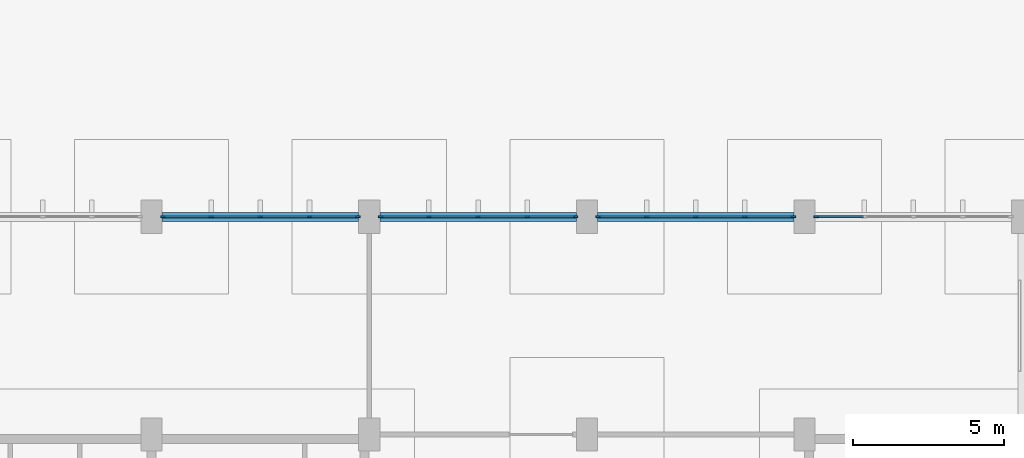
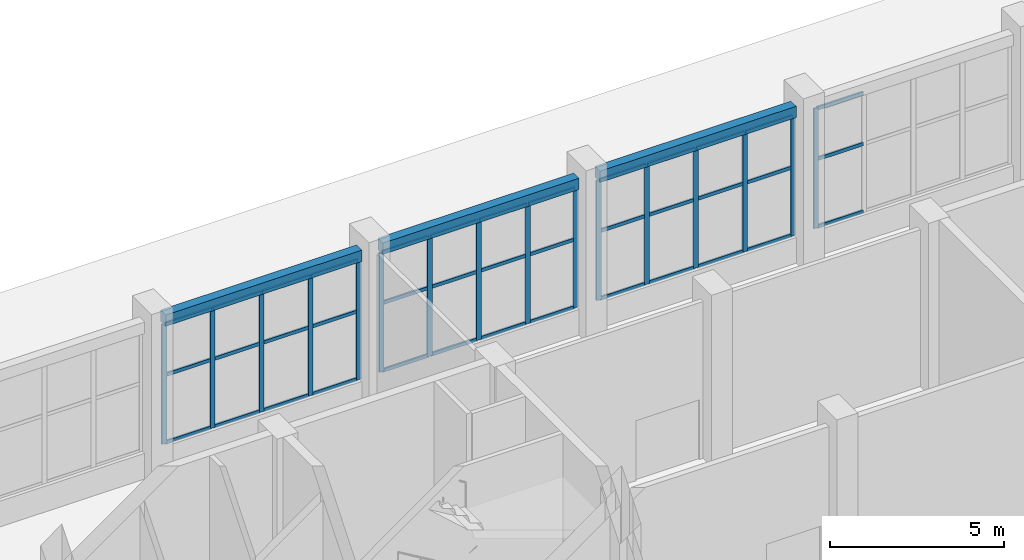
# One storey, part 24 of 70: 55 members, 3 beams, 4 elements without a shape of their own.
"""IFC4 building model written with IfcOpenShell, lengths in metres."""

from ifc_helpers import new_model, si_unit, direction, frame, origin, origin_2d, place, context, subcontext, project, spatial, rectangle, extrude, material, layer, layer_set, material_profile, profile_set, type_object, element, aggregate, save


model = new_model("IFC4")

# Units and contexts
model_context = context("Model", 3, precision=1e-05, world=origin(), true_north=direction((0.0, 1.0)))
body_context = subcontext(model_context, "Body", "Model", "MODEL_VIEW")
ifc_project = project(units=[si_unit("LENGTHUNIT", "METRE"), si_unit("AREAUNIT", "SQUARE_METRE"), si_unit("VOLUMEUNIT", "CUBIC_METRE"), si_unit("PLANEANGLEUNIT", "RADIAN"), si_unit("MASSUNIT", "GRAM", prefix="KILO")], contexts=[model_context])

# Site, building, storey
site_placement = place(None, origin())
site = spatial("IfcSite", under=ifc_project, at=site_placement, CompositionType="ELEMENT")
building_placement = place(site_placement, origin())
building = spatial("IfcBuilding", under=site, at=building_placement, Name="Vermilion Court Aquatics Centre", CompositionType="ELEMENT")
storey_placement = place(building_placement, origin())
storey = spatial("IfcBuildingStorey", under=building, at=storey_placement, Name="L00", CompositionType="ELEMENT", Elevation=0.0)

# Curtain wall, members
ifc_material_1 = material(Name="Aluminium 6063-T5", Category="aluminium")
ifc_layer = layer(ifc_material_1, 0.14990234375)
ifc_layer_set = layer_set([ifc_layer], Name="Podium curtain wall bay, 1800 module")
curtain_wall_type = type_object("IfcCurtainWallType", Name="Podium curtain wall bay, 1800 module", PredefinedType="NOTDEFINED", material=ifc_layer_set)
curtain_wall_1_placement = place(storey_placement, origin())
curtain_wall_1 = element("IfcCurtainWall", 1, at=curtain_wall_1_placement, inside=storey, type_object=curtain_wall_type, Name="Curtain wall L00", PredefinedType="NOTDEFINED")
ifc_material_2 = material(Name="Aluminium 6063-T5", Category="aluminium")
ifc_material_profile_1 = material_profile(ifc_material_2, rectangle(XDim=0.06005859375, YDim=0.159912109375, at=origin_2d()), Name="Mullion 60x160")
ifc_profile_set_1 = profile_set([ifc_material_profile_1], Name="Aluminium 6063-T5")
member_type_1 = type_object("IfcMemberType", Name="Podium curtain wall mullion 60x160", PredefinedType="MULLION", material=ifc_profile_set_1)
member_1_placement = place(storey_placement, frame((165.97998046875, 115.199951171875, 0.89990234375), z_axis=(0.0, 0.0, 1.0), x_axis=(0.0, 1.0, 0.0)))
member_1 = element("IfcMember", 2, at=member_1_placement, type_object=member_type_1, Name="PG2 mullion 1", PredefinedType="MULLION", context=body_context, shape_type="SweptSolid", body=[
    extrude(rectangle(XDim=0.06005859375, YDim=0.159912109375, at=origin_2d()), origin(), (0.0, 0.0, 1.0), 4.2001953125),
])
member_2_placement = place(storey_placement, frame((167.574951171875, 115.199951171875, 0.89990234375), z_axis=(0.0, 0.0, 1.0), x_axis=(0.0, 1.0, 0.0)))
member_2 = element("IfcMember", 3, at=member_2_placement, type_object=member_type_1, Name="PG2 mullion 2", PredefinedType="MULLION", context=body_context, shape_type="SweptSolid", body=[
    extrude(rectangle(XDim=0.06005859375, YDim=0.159912109375, at=origin_2d()), origin(), (0.0, 0.0, 1.0), 4.2001953125),
])
member_3_placement = place(storey_placement, frame((169.199951171875, 115.199951171875, 0.89990234375), z_axis=(0.0, 0.0, 1.0), x_axis=(0.0, 1.0, 0.0)))
member_3 = element("IfcMember", 4, at=member_3_placement, type_object=member_type_1, Name="PG2 mullion 3", PredefinedType="MULLION", context=body_context, shape_type="SweptSolid", body=[
    extrude(rectangle(XDim=0.06005859375, YDim=0.159912109375, at=origin_2d()), origin(), (0.0, 0.0, 1.0), 4.2001953125),
])
member_4_placement = place(storey_placement, frame((170.824951171875, 115.199951171875, 0.89990234375), z_axis=(0.0, 0.0, 1.0), x_axis=(0.0, 1.0, 0.0)))
member_4 = element("IfcMember", 5, at=member_4_placement, type_object=member_type_1, Name="PG2 mullion 4", PredefinedType="MULLION", context=body_context, shape_type="SweptSolid", body=[
    extrude(rectangle(XDim=0.06005859375, YDim=0.159912109375, at=origin_2d()), origin(), (0.0, 0.0, 1.0), 4.2001953125),
])
member_5_placement = place(storey_placement, frame((172.419921875, 115.199951171875, 0.89990234375), z_axis=(0.0, 0.0, 1.0), x_axis=(0.0, 1.0, 0.0)))
member_5 = element("IfcMember", 6, at=member_5_placement, type_object=member_type_1, Name="PG2 mullion 5", PredefinedType="MULLION", context=body_context, shape_type="SweptSolid", body=[
    extrude(rectangle(XDim=0.06005859375, YDim=0.159912109375, at=origin_2d()), origin(), (0.0, 0.0, 1.0), 4.2001953125),
])

curtain_wall_2_placement = place(storey_placement, origin())
curtain_wall_2 = element("IfcCurtainWall", 7, at=curtain_wall_2_placement, inside=storey, type_object=curtain_wall_type, Name="Curtain wall L00", PredefinedType="NOTDEFINED")
member_6_placement = place(storey_placement, frame((173.179931640625, 115.199951171875, 0.89990234375), z_axis=(0.0, 0.0, 1.0), x_axis=(0.0, 1.0, 0.0)))
member_6 = element("IfcMember", 8, at=member_6_placement, type_object=member_type_1, Name="PG2 mullion 1", PredefinedType="MULLION", context=body_context, shape_type="SweptSolid", body=[
    extrude(rectangle(XDim=0.06005859375, YDim=0.159912109375, at=origin_2d()), origin(), (0.0, 0.0, 1.0), 4.2001953125),
])
member_7_placement = place(storey_placement, frame((174.77490234375, 115.199951171875, 0.89990234375), z_axis=(0.0, 0.0, 1.0), x_axis=(0.0, 1.0, 0.0)))
member_7 = element("IfcMember", 9, at=member_7_placement, type_object=member_type_1, Name="PG2 mullion 2", PredefinedType="MULLION", context=body_context, shape_type="SweptSolid", body=[
    extrude(rectangle(XDim=0.06005859375, YDim=0.159912109375, at=origin_2d()), origin(), (0.0, 0.0, 1.0), 4.2001953125),
])
member_8_placement = place(storey_placement, frame((176.39990234375, 115.199951171875, 0.89990234375), z_axis=(0.0, 0.0, 1.0), x_axis=(0.0, 1.0, 0.0)))
member_8 = element("IfcMember", 10, at=member_8_placement, type_object=member_type_1, Name="PG2 mullion 3", PredefinedType="MULLION", context=body_context, shape_type="SweptSolid", body=[
    extrude(rectangle(XDim=0.06005859375, YDim=0.159912109375, at=origin_2d()), origin(), (0.0, 0.0, 1.0), 4.2001953125),
])
member_9_placement = place(storey_placement, frame((178.02490234375, 115.199951171875, 0.89990234375), z_axis=(0.0, 0.0, 1.0), x_axis=(0.0, 1.0, 0.0)))
member_9 = element("IfcMember", 11, at=member_9_placement, type_object=member_type_1, Name="PG2 mullion 4", PredefinedType="MULLION", context=body_context, shape_type="SweptSolid", body=[
    extrude(rectangle(XDim=0.06005859375, YDim=0.159912109375, at=origin_2d()), origin(), (0.0, 0.0, 1.0), 4.2001953125),
])
member_10_placement = place(storey_placement, frame((179.6201171875, 115.199951171875, 0.89990234375), z_axis=(0.0, 0.0, 1.0), x_axis=(0.0, 1.0, 0.0)))
member_10 = element("IfcMember", 12, at=member_10_placement, type_object=member_type_1, Name="PG2 mullion 5", PredefinedType="MULLION", context=body_context, shape_type="SweptSolid", body=[
    extrude(rectangle(XDim=0.06005859375, YDim=0.159912109375, at=origin_2d()), origin(), (0.0, 0.0, 1.0), 4.2001953125),
])

curtain_wall_3_placement = place(storey_placement, origin())
curtain_wall_3 = element("IfcCurtainWall", 13, at=curtain_wall_3_placement, inside=storey, type_object=curtain_wall_type, Name="Curtain wall L00", PredefinedType="NOTDEFINED")
member_11_placement = place(storey_placement, frame((180.3798828125, 115.199951171875, 0.89990234375), z_axis=(0.0, 0.0, 1.0), x_axis=(0.0, 1.0, 0.0)))
member_11 = element("IfcMember", 14, at=member_11_placement, type_object=member_type_1, Name="PG2 mullion 1", PredefinedType="MULLION", context=body_context, shape_type="SweptSolid", body=[
    extrude(rectangle(XDim=0.06005859375, YDim=0.159912109375, at=origin_2d()), origin(), (0.0, 0.0, 1.0), 4.2001953125),
])
member_12_placement = place(storey_placement, frame((181.97509765625, 115.199951171875, 0.89990234375), z_axis=(0.0, 0.0, 1.0), x_axis=(0.0, 1.0, 0.0)))
member_12 = element("IfcMember", 15, at=member_12_placement, type_object=member_type_1, Name="PG2 mullion 2", PredefinedType="MULLION", context=body_context, shape_type="SweptSolid", body=[
    extrude(rectangle(XDim=0.06005859375, YDim=0.159912109375, at=origin_2d()), origin(), (0.0, 0.0, 1.0), 4.2001953125),
])
member_13_placement = place(storey_placement, frame((183.60009765625, 115.199951171875, 0.89990234375), z_axis=(0.0, 0.0, 1.0), x_axis=(0.0, 1.0, 0.0)))
member_13 = element("IfcMember", 16, at=member_13_placement, type_object=member_type_1, Name="PG2 mullion 3", PredefinedType="MULLION", context=body_context, shape_type="SweptSolid", body=[
    extrude(rectangle(XDim=0.06005859375, YDim=0.159912109375, at=origin_2d()), origin(), (0.0, 0.0, 1.0), 4.2001953125),
])
member_14_placement = place(storey_placement, frame((185.22509765625, 115.199951171875, 0.89990234375), z_axis=(0.0, 0.0, 1.0), x_axis=(0.0, 1.0, 0.0)))
member_14 = element("IfcMember", 17, at=member_14_placement, type_object=member_type_1, Name="PG2 mullion 4", PredefinedType="MULLION", context=body_context, shape_type="SweptSolid", body=[
    extrude(rectangle(XDim=0.06005859375, YDim=0.159912109375, at=origin_2d()), origin(), (0.0, 0.0, 1.0), 4.2001953125),
])
member_15_placement = place(storey_placement, frame((186.820068359375, 115.199951171875, 0.89990234375), z_axis=(0.0, 0.0, 1.0), x_axis=(0.0, 1.0, 0.0)))
member_15 = element("IfcMember", 18, at=member_15_placement, type_object=member_type_1, Name="PG2 mullion 5", PredefinedType="MULLION", context=body_context, shape_type="SweptSolid", body=[
    extrude(rectangle(XDim=0.06005859375, YDim=0.159912109375, at=origin_2d()), origin(), (0.0, 0.0, 1.0), 4.2001953125),
])

# Curtain wall, member
curtain_wall_4_placement = place(storey_placement, origin())
curtain_wall_4 = element("IfcCurtainWall", 19, at=curtain_wall_4_placement, inside=storey, type_object=curtain_wall_type, Name="Curtain wall L00", PredefinedType="NOTDEFINED")
member_16_placement = place(storey_placement, frame((187.580078125, 115.199951171875, 0.89990234375), z_axis=(0.0, 0.0, 1.0), x_axis=(0.0, 1.0, 0.0)))
member_16 = element("IfcMember", 20, at=member_16_placement, type_object=member_type_1, Name="PG2 mullion 1", PredefinedType="MULLION", context=body_context, shape_type="SweptSolid", body=[
    extrude(rectangle(XDim=0.06005859375, YDim=0.159912109375, at=origin_2d()), origin(), (0.0, 0.0, 1.0), 4.2001953125),
])

# Member
ifc_material_3 = material(Name="Aluminium 6063-T5", Category="aluminium")
ifc_material_profile_2 = material_profile(ifc_material_3, rectangle(XDim=0.06005859375, YDim=0.1201171875, at=origin_2d()), Name="Transom 60x120")
ifc_profile_set_2 = profile_set([ifc_material_profile_2], Name="Aluminium 6063-T5")
member_type_2 = type_object("IfcMemberType", Name="Podium curtain wall transom 60x120", PredefinedType="USERDEFINED", material=ifc_profile_set_2)
member_17_placement = place(storey_placement, frame((166.010009765625, 115.199951171875, 0.929931640625), z_axis=(1.0, 0.0, 0.0), x_axis=(0.0, 1.0, 0.0)))
member_17 = element("IfcMember", 21, at=member_17_placement, type_object=member_type_2, Name="PG2 transom 1.1", ObjectType="TRANSOM", PredefinedType="USERDEFINED", context=body_context, shape_type="SweptSolid", body=[
    extrude(rectangle(XDim=0.06005859375, YDim=0.1201171875, at=origin_2d()), origin(), (0.0, 0.0, 1.0), 1.534912109375),
])

member_18_placement = place(storey_placement, frame((166.010009765625, 115.199951171875, 3.300048828125), z_axis=(1.0, 0.0, 0.0), x_axis=(0.0, 1.0, 0.0)))
member_18 = element("IfcMember", 22, at=member_18_placement, type_object=member_type_2, Name="PG2 transom 1.2", ObjectType="TRANSOM", PredefinedType="USERDEFINED", context=body_context, shape_type="SweptSolid", body=[
    extrude(rectangle(XDim=0.06005859375, YDim=0.1201171875, at=origin_2d()), origin(), (0.0, 0.0, 1.0), 1.534912109375),
])

member_19_placement = place(storey_placement, frame((166.010009765625, 115.199951171875, 5.070068359375), z_axis=(1.0, 0.0, 0.0), x_axis=(0.0, 1.0, 0.0)))
member_19 = element("IfcMember", 23, at=member_19_placement, type_object=member_type_2, Name="PG2 transom 1.3", ObjectType="TRANSOM", PredefinedType="USERDEFINED", context=body_context, shape_type="SweptSolid", body=[
    extrude(rectangle(XDim=0.06005859375, YDim=0.1201171875, at=origin_2d()), origin(), (0.0, 0.0, 1.0), 1.534912109375),
])

member_20_placement = place(storey_placement, frame((167.60498046875, 115.199951171875, 0.929931640625), z_axis=(1.0, 0.0, 0.0), x_axis=(0.0, 1.0, 0.0)))
member_20 = element("IfcMember", 24, at=member_20_placement, type_object=member_type_2, Name="PG2 transom 2.1", ObjectType="TRANSOM", PredefinedType="USERDEFINED", context=body_context, shape_type="SweptSolid", body=[
    extrude(rectangle(XDim=0.06005859375, YDim=0.1201171875, at=origin_2d()), origin(), (0.0, 0.0, 1.0), 1.56494140625),
])

member_21_placement = place(storey_placement, frame((167.60498046875, 115.199951171875, 3.300048828125), z_axis=(1.0, 0.0, 0.0), x_axis=(0.0, 1.0, 0.0)))
member_21 = element("IfcMember", 25, at=member_21_placement, type_object=member_type_2, Name="PG2 transom 2.2", ObjectType="TRANSOM", PredefinedType="USERDEFINED", context=body_context, shape_type="SweptSolid", body=[
    extrude(rectangle(XDim=0.06005859375, YDim=0.1201171875, at=origin_2d()), origin(), (0.0, 0.0, 1.0), 1.56494140625),
])

member_22_placement = place(storey_placement, frame((167.60498046875, 115.199951171875, 5.070068359375), z_axis=(1.0, 0.0, 0.0), x_axis=(0.0, 1.0, 0.0)))
member_22 = element("IfcMember", 26, at=member_22_placement, type_object=member_type_2, Name="PG2 transom 2.3", ObjectType="TRANSOM", PredefinedType="USERDEFINED", context=body_context, shape_type="SweptSolid", body=[
    extrude(rectangle(XDim=0.06005859375, YDim=0.1201171875, at=origin_2d()), origin(), (0.0, 0.0, 1.0), 1.56494140625),
])

member_23_placement = place(storey_placement, frame((169.22998046875, 115.199951171875, 0.929931640625), z_axis=(1.0, 0.0, 0.0), x_axis=(0.0, 1.0, 0.0)))
member_23 = element("IfcMember", 27, at=member_23_placement, type_object=member_type_2, Name="PG2 transom 3.1", ObjectType="TRANSOM", PredefinedType="USERDEFINED", context=body_context, shape_type="SweptSolid", body=[
    extrude(rectangle(XDim=0.06005859375, YDim=0.1201171875, at=origin_2d()), origin(), (0.0, 0.0, 1.0), 1.56494140625),
])

member_24_placement = place(storey_placement, frame((169.22998046875, 115.199951171875, 3.300048828125), z_axis=(1.0, 0.0, 0.0), x_axis=(0.0, 1.0, 0.0)))
member_24 = element("IfcMember", 28, at=member_24_placement, type_object=member_type_2, Name="PG2 transom 3.2", ObjectType="TRANSOM", PredefinedType="USERDEFINED", context=body_context, shape_type="SweptSolid", body=[
    extrude(rectangle(XDim=0.06005859375, YDim=0.1201171875, at=origin_2d()), origin(), (0.0, 0.0, 1.0), 1.56494140625),
])

member_25_placement = place(storey_placement, frame((169.22998046875, 115.199951171875, 5.070068359375), z_axis=(1.0, 0.0, 0.0), x_axis=(0.0, 1.0, 0.0)))
member_25 = element("IfcMember", 29, at=member_25_placement, type_object=member_type_2, Name="PG2 transom 3.3", ObjectType="TRANSOM", PredefinedType="USERDEFINED", context=body_context, shape_type="SweptSolid", body=[
    extrude(rectangle(XDim=0.06005859375, YDim=0.1201171875, at=origin_2d()), origin(), (0.0, 0.0, 1.0), 1.56494140625),
])

member_26_placement = place(storey_placement, frame((170.85498046875, 115.199951171875, 0.929931640625), z_axis=(1.0, 0.0, 0.0), x_axis=(0.0, 1.0, 0.0)))
member_26 = element("IfcMember", 30, at=member_26_placement, type_object=member_type_2, Name="PG2 transom 4.1", ObjectType="TRANSOM", PredefinedType="USERDEFINED", context=body_context, shape_type="SweptSolid", body=[
    extrude(rectangle(XDim=0.06005859375, YDim=0.1201171875, at=origin_2d()), origin(), (0.0, 0.0, 1.0), 1.534912109375),
])

member_27_placement = place(storey_placement, frame((170.85498046875, 115.199951171875, 3.300048828125), z_axis=(1.0, 0.0, 0.0), x_axis=(0.0, 1.0, 0.0)))
member_27 = element("IfcMember", 31, at=member_27_placement, type_object=member_type_2, Name="PG2 transom 4.2", ObjectType="TRANSOM", PredefinedType="USERDEFINED", context=body_context, shape_type="SweptSolid", body=[
    extrude(rectangle(XDim=0.06005859375, YDim=0.1201171875, at=origin_2d()), origin(), (0.0, 0.0, 1.0), 1.534912109375),
])

member_28_placement = place(storey_placement, frame((170.85498046875, 115.199951171875, 5.070068359375), z_axis=(1.0, 0.0, 0.0), x_axis=(0.0, 1.0, 0.0)))
member_28 = element("IfcMember", 32, at=member_28_placement, type_object=member_type_2, Name="PG2 transom 4.3", ObjectType="TRANSOM", PredefinedType="USERDEFINED", context=body_context, shape_type="SweptSolid", body=[
    extrude(rectangle(XDim=0.06005859375, YDim=0.1201171875, at=origin_2d()), origin(), (0.0, 0.0, 1.0), 1.534912109375),
])

aggregate(curtain_wall_1, [member_1, member_2, member_3, member_4, member_5, member_17, member_18, member_19, member_20, member_21, member_22, member_23, member_24, member_25, member_26, member_27, member_28])

member_29_placement = place(storey_placement, frame((173.2099609375, 115.199951171875, 0.929931640625), z_axis=(1.0, 0.0, 0.0), x_axis=(0.0, 1.0, 0.0)))
member_29 = element("IfcMember", 33, at=member_29_placement, type_object=member_type_2, Name="PG2 transom 1.1", ObjectType="TRANSOM", PredefinedType="USERDEFINED", context=body_context, shape_type="SweptSolid", body=[
    extrude(rectangle(XDim=0.06005859375, YDim=0.1201171875, at=origin_2d()), origin(), (0.0, 0.0, 1.0), 1.53515625),
])

member_30_placement = place(storey_placement, frame((173.2099609375, 115.199951171875, 3.300048828125), z_axis=(1.0, 0.0, 0.0), x_axis=(0.0, 1.0, 0.0)))
member_30 = element("IfcMember", 34, at=member_30_placement, type_object=member_type_2, Name="PG2 transom 1.2", ObjectType="TRANSOM", PredefinedType="USERDEFINED", context=body_context, shape_type="SweptSolid", body=[
    extrude(rectangle(XDim=0.06005859375, YDim=0.1201171875, at=origin_2d()), origin(), (0.0, 0.0, 1.0), 1.53515625),
])

member_31_placement = place(storey_placement, frame((173.2099609375, 115.199951171875, 5.070068359375), z_axis=(1.0, 0.0, 0.0), x_axis=(0.0, 1.0, 0.0)))
member_31 = element("IfcMember", 35, at=member_31_placement, type_object=member_type_2, Name="PG2 transom 1.3", ObjectType="TRANSOM", PredefinedType="USERDEFINED", context=body_context, shape_type="SweptSolid", body=[
    extrude(rectangle(XDim=0.06005859375, YDim=0.1201171875, at=origin_2d()), origin(), (0.0, 0.0, 1.0), 1.53515625),
])

member_32_placement = place(storey_placement, frame((174.804931640625, 115.199951171875, 0.929931640625), z_axis=(1.0, 0.0, 0.0), x_axis=(0.0, 1.0, 0.0)))
member_32 = element("IfcMember", 36, at=member_32_placement, type_object=member_type_2, Name="PG2 transom 2.1", ObjectType="TRANSOM", PredefinedType="USERDEFINED", context=body_context, shape_type="SweptSolid", body=[
    extrude(rectangle(XDim=0.06005859375, YDim=0.1201171875, at=origin_2d()), origin(), (0.0, 0.0, 1.0), 1.565185546875),
])

member_33_placement = place(storey_placement, frame((174.804931640625, 115.199951171875, 3.300048828125), z_axis=(1.0, 0.0, 0.0), x_axis=(0.0, 1.0, 0.0)))
member_33 = element("IfcMember", 37, at=member_33_placement, type_object=member_type_2, Name="PG2 transom 2.2", ObjectType="TRANSOM", PredefinedType="USERDEFINED", context=body_context, shape_type="SweptSolid", body=[
    extrude(rectangle(XDim=0.06005859375, YDim=0.1201171875, at=origin_2d()), origin(), (0.0, 0.0, 1.0), 1.565185546875),
])

member_34_placement = place(storey_placement, frame((174.804931640625, 115.199951171875, 5.070068359375), z_axis=(1.0, 0.0, 0.0), x_axis=(0.0, 1.0, 0.0)))
member_34 = element("IfcMember", 38, at=member_34_placement, type_object=member_type_2, Name="PG2 transom 2.3", ObjectType="TRANSOM", PredefinedType="USERDEFINED", context=body_context, shape_type="SweptSolid", body=[
    extrude(rectangle(XDim=0.06005859375, YDim=0.1201171875, at=origin_2d()), origin(), (0.0, 0.0, 1.0), 1.565185546875),
])

member_35_placement = place(storey_placement, frame((176.429931640625, 115.199951171875, 0.929931640625), z_axis=(1.0, 0.0, 0.0), x_axis=(0.0, 1.0, 0.0)))
member_35 = element("IfcMember", 39, at=member_35_placement, type_object=member_type_2, Name="PG2 transom 3.1", ObjectType="TRANSOM", PredefinedType="USERDEFINED", context=body_context, shape_type="SweptSolid", body=[
    extrude(rectangle(XDim=0.06005859375, YDim=0.1201171875, at=origin_2d()), origin(), (0.0, 0.0, 1.0), 1.565185546875),
])

member_36_placement = place(storey_placement, frame((176.429931640625, 115.199951171875, 3.300048828125), z_axis=(1.0, 0.0, 0.0), x_axis=(0.0, 1.0, 0.0)))
member_36 = element("IfcMember", 40, at=member_36_placement, type_object=member_type_2, Name="PG2 transom 3.2", ObjectType="TRANSOM", PredefinedType="USERDEFINED", context=body_context, shape_type="SweptSolid", body=[
    extrude(rectangle(XDim=0.06005859375, YDim=0.1201171875, at=origin_2d()), origin(), (0.0, 0.0, 1.0), 1.565185546875),
])

member_37_placement = place(storey_placement, frame((176.429931640625, 115.199951171875, 5.070068359375), z_axis=(1.0, 0.0, 0.0), x_axis=(0.0, 1.0, 0.0)))
member_37 = element("IfcMember", 41, at=member_37_placement, type_object=member_type_2, Name="PG2 transom 3.3", ObjectType="TRANSOM", PredefinedType="USERDEFINED", context=body_context, shape_type="SweptSolid", body=[
    extrude(rectangle(XDim=0.06005859375, YDim=0.1201171875, at=origin_2d()), origin(), (0.0, 0.0, 1.0), 1.565185546875),
])

member_38_placement = place(storey_placement, frame((178.054931640625, 115.199951171875, 0.929931640625), z_axis=(1.0, 0.0, 0.0), x_axis=(0.0, 1.0, 0.0)))
member_38 = element("IfcMember", 42, at=member_38_placement, type_object=member_type_2, Name="PG2 transom 4.1", ObjectType="TRANSOM", PredefinedType="USERDEFINED", context=body_context, shape_type="SweptSolid", body=[
    extrude(rectangle(XDim=0.06005859375, YDim=0.1201171875, at=origin_2d()), origin(), (0.0, 0.0, 1.0), 1.53515625),
])

member_39_placement = place(storey_placement, frame((178.054931640625, 115.199951171875, 3.300048828125), z_axis=(1.0, 0.0, 0.0), x_axis=(0.0, 1.0, 0.0)))
member_39 = element("IfcMember", 43, at=member_39_placement, type_object=member_type_2, Name="PG2 transom 4.2", ObjectType="TRANSOM", PredefinedType="USERDEFINED", context=body_context, shape_type="SweptSolid", body=[
    extrude(rectangle(XDim=0.06005859375, YDim=0.1201171875, at=origin_2d()), origin(), (0.0, 0.0, 1.0), 1.53515625),
])

member_40_placement = place(storey_placement, frame((178.054931640625, 115.199951171875, 5.070068359375), z_axis=(1.0, 0.0, 0.0), x_axis=(0.0, 1.0, 0.0)))
member_40 = element("IfcMember", 44, at=member_40_placement, type_object=member_type_2, Name="PG2 transom 4.3", ObjectType="TRANSOM", PredefinedType="USERDEFINED", context=body_context, shape_type="SweptSolid", body=[
    extrude(rectangle(XDim=0.06005859375, YDim=0.1201171875, at=origin_2d()), origin(), (0.0, 0.0, 1.0), 1.53515625),
])

aggregate(curtain_wall_2, [member_6, member_7, member_8, member_9, member_10, member_29, member_30, member_31, member_32, member_33, member_34, member_35, member_36, member_37, member_38, member_39, member_40])

member_41_placement = place(storey_placement, frame((180.409912109375, 115.199951171875, 0.929931640625), z_axis=(1.0, 0.0, 0.0), x_axis=(0.0, 1.0, 0.0)))
member_41 = element("IfcMember", 45, at=member_41_placement, type_object=member_type_2, Name="PG2 transom 1.1", ObjectType="TRANSOM", PredefinedType="USERDEFINED", context=body_context, shape_type="SweptSolid", body=[
    extrude(rectangle(XDim=0.06005859375, YDim=0.1201171875, at=origin_2d()), origin(), (0.0, 0.0, 1.0), 1.53515625),
])

member_42_placement = place(storey_placement, frame((180.409912109375, 115.199951171875, 3.300048828125), z_axis=(1.0, 0.0, 0.0), x_axis=(0.0, 1.0, 0.0)))
member_42 = element("IfcMember", 46, at=member_42_placement, type_object=member_type_2, Name="PG2 transom 1.2", ObjectType="TRANSOM", PredefinedType="USERDEFINED", context=body_context, shape_type="SweptSolid", body=[
    extrude(rectangle(XDim=0.06005859375, YDim=0.1201171875, at=origin_2d()), origin(), (0.0, 0.0, 1.0), 1.53515625),
])

member_43_placement = place(storey_placement, frame((180.409912109375, 115.199951171875, 5.070068359375), z_axis=(1.0, 0.0, 0.0), x_axis=(0.0, 1.0, 0.0)))
member_43 = element("IfcMember", 47, at=member_43_placement, type_object=member_type_2, Name="PG2 transom 1.3", ObjectType="TRANSOM", PredefinedType="USERDEFINED", context=body_context, shape_type="SweptSolid", body=[
    extrude(rectangle(XDim=0.06005859375, YDim=0.1201171875, at=origin_2d()), origin(), (0.0, 0.0, 1.0), 1.53515625),
])

member_44_placement = place(storey_placement, frame((182.0048828125, 115.199951171875, 0.929931640625), z_axis=(1.0, 0.0, 0.0), x_axis=(0.0, 1.0, 0.0)))
member_44 = element("IfcMember", 48, at=member_44_placement, type_object=member_type_2, Name="PG2 transom 2.1", ObjectType="TRANSOM", PredefinedType="USERDEFINED", context=body_context, shape_type="SweptSolid", body=[
    extrude(rectangle(XDim=0.06005859375, YDim=0.1201171875, at=origin_2d()), origin(), (0.0, 0.0, 1.0), 1.565185546875),
])

member_45_placement = place(storey_placement, frame((182.0048828125, 115.199951171875, 3.300048828125), z_axis=(1.0, 0.0, 0.0), x_axis=(0.0, 1.0, 0.0)))
member_45 = element("IfcMember", 49, at=member_45_placement, type_object=member_type_2, Name="PG2 transom 2.2", ObjectType="TRANSOM", PredefinedType="USERDEFINED", context=body_context, shape_type="SweptSolid", body=[
    extrude(rectangle(XDim=0.06005859375, YDim=0.1201171875, at=origin_2d()), origin(), (0.0, 0.0, 1.0), 1.565185546875),
])

member_46_placement = place(storey_placement, frame((182.0048828125, 115.199951171875, 5.070068359375), z_axis=(1.0, 0.0, 0.0), x_axis=(0.0, 1.0, 0.0)))
member_46 = element("IfcMember", 50, at=member_46_placement, type_object=member_type_2, Name="PG2 transom 2.3", ObjectType="TRANSOM", PredefinedType="USERDEFINED", context=body_context, shape_type="SweptSolid", body=[
    extrude(rectangle(XDim=0.06005859375, YDim=0.1201171875, at=origin_2d()), origin(), (0.0, 0.0, 1.0), 1.565185546875),
])

member_47_placement = place(storey_placement, frame((183.6298828125, 115.199951171875, 0.929931640625), z_axis=(1.0, 0.0, 0.0), x_axis=(0.0, 1.0, 0.0)))
member_47 = element("IfcMember", 51, at=member_47_placement, type_object=member_type_2, Name="PG2 transom 3.1", ObjectType="TRANSOM", PredefinedType="USERDEFINED", context=body_context, shape_type="SweptSolid", body=[
    extrude(rectangle(XDim=0.06005859375, YDim=0.1201171875, at=origin_2d()), origin(), (0.0, 0.0, 1.0), 1.565185546875),
])

member_48_placement = place(storey_placement, frame((183.6298828125, 115.199951171875, 3.300048828125), z_axis=(1.0, 0.0, 0.0), x_axis=(0.0, 1.0, 0.0)))
member_48 = element("IfcMember", 52, at=member_48_placement, type_object=member_type_2, Name="PG2 transom 3.2", ObjectType="TRANSOM", PredefinedType="USERDEFINED", context=body_context, shape_type="SweptSolid", body=[
    extrude(rectangle(XDim=0.06005859375, YDim=0.1201171875, at=origin_2d()), origin(), (0.0, 0.0, 1.0), 1.565185546875),
])

member_49_placement = place(storey_placement, frame((183.6298828125, 115.199951171875, 5.070068359375), z_axis=(1.0, 0.0, 0.0), x_axis=(0.0, 1.0, 0.0)))
member_49 = element("IfcMember", 53, at=member_49_placement, type_object=member_type_2, Name="PG2 transom 3.3", ObjectType="TRANSOM", PredefinedType="USERDEFINED", context=body_context, shape_type="SweptSolid", body=[
    extrude(rectangle(XDim=0.06005859375, YDim=0.1201171875, at=origin_2d()), origin(), (0.0, 0.0, 1.0), 1.565185546875),
])

member_50_placement = place(storey_placement, frame((185.2548828125, 115.199951171875, 0.929931640625), z_axis=(1.0, 0.0, 0.0), x_axis=(0.0, 1.0, 0.0)))
member_50 = element("IfcMember", 54, at=member_50_placement, type_object=member_type_2, Name="PG2 transom 4.1", ObjectType="TRANSOM", PredefinedType="USERDEFINED", context=body_context, shape_type="SweptSolid", body=[
    extrude(rectangle(XDim=0.06005859375, YDim=0.1201171875, at=origin_2d()), origin(), (0.0, 0.0, 1.0), 1.53515625),
])

member_51_placement = place(storey_placement, frame((185.2548828125, 115.199951171875, 3.300048828125), z_axis=(1.0, 0.0, 0.0), x_axis=(0.0, 1.0, 0.0)))
member_51 = element("IfcMember", 55, at=member_51_placement, type_object=member_type_2, Name="PG2 transom 4.2", ObjectType="TRANSOM", PredefinedType="USERDEFINED", context=body_context, shape_type="SweptSolid", body=[
    extrude(rectangle(XDim=0.06005859375, YDim=0.1201171875, at=origin_2d()), origin(), (0.0, 0.0, 1.0), 1.53515625),
])

member_52_placement = place(storey_placement, frame((185.2548828125, 115.199951171875, 5.070068359375), z_axis=(1.0, 0.0, 0.0), x_axis=(0.0, 1.0, 0.0)))
member_52 = element("IfcMember", 56, at=member_52_placement, type_object=member_type_2, Name="PG2 transom 4.3", ObjectType="TRANSOM", PredefinedType="USERDEFINED", context=body_context, shape_type="SweptSolid", body=[
    extrude(rectangle(XDim=0.06005859375, YDim=0.1201171875, at=origin_2d()), origin(), (0.0, 0.0, 1.0), 1.53515625),
])

aggregate(curtain_wall_3, [member_11, member_12, member_13, member_14, member_15, member_41, member_42, member_43, member_44, member_45, member_46, member_47, member_48, member_49, member_50, member_51, member_52])

member_53_placement = place(storey_placement, frame((187.610107421875, 115.199951171875, 0.929931640625), z_axis=(1.0, 0.0, 0.0), x_axis=(0.0, 1.0, 0.0)))
member_53 = element("IfcMember", 57, at=member_53_placement, type_object=member_type_2, Name="PG2 transom 1.1", ObjectType="TRANSOM", PredefinedType="USERDEFINED", context=body_context, shape_type="SweptSolid", body=[
    extrude(rectangle(XDim=0.06005859375, YDim=0.1201171875, at=origin_2d()), origin(), (0.0, 0.0, 1.0), 1.534912109375),
])

member_54_placement = place(storey_placement, frame((187.610107421875, 115.199951171875, 3.300048828125), z_axis=(1.0, 0.0, 0.0), x_axis=(0.0, 1.0, 0.0)))
member_54 = element("IfcMember", 58, at=member_54_placement, type_object=member_type_2, Name="PG2 transom 1.2", ObjectType="TRANSOM", PredefinedType="USERDEFINED", context=body_context, shape_type="SweptSolid", body=[
    extrude(rectangle(XDim=0.06005859375, YDim=0.1201171875, at=origin_2d()), origin(), (0.0, 0.0, 1.0), 1.534912109375),
])

member_55_placement = place(storey_placement, frame((187.610107421875, 115.199951171875, 5.070068359375), z_axis=(1.0, 0.0, 0.0), x_axis=(0.0, 1.0, 0.0)))
member_55 = element("IfcMember", 59, at=member_55_placement, type_object=member_type_2, Name="PG2 transom 1.3", ObjectType="TRANSOM", PredefinedType="USERDEFINED", context=body_context, shape_type="SweptSolid", body=[
    extrude(rectangle(XDim=0.06005859375, YDim=0.1201171875, at=origin_2d()), origin(), (0.0, 0.0, 1.0), 1.534912109375),
])

aggregate(curtain_wall_4, [member_16, member_53, member_54, member_55])

# Beams
ifc_material_4 = material(Name="Concrete 5000 psi", Category="concrete")
ifc_material_profile_3 = material_profile(ifc_material_4, rectangle(XDim=0.300048828125, YDim=0.39990234375, at=origin_2d()), Name="RC 300x400")
ifc_profile_set_3 = profile_set([ifc_material_profile_3], Name="Concrete 5000 psi")
beam_type = type_object("IfcBeamType", Name="Podium spandrel beam RC 300x400", PredefinedType="BEAM", material=ifc_profile_set_3)
for number, where, z_axis, x_axis, name in (
    (60, (165.949951171875, 115.199951171875, 5.300048828125), (1.0, 0.0, 0.0), (0.0, 1.0, 0.0), "Spandrel beam L00"),
    (61, (173.14990234375, 115.199951171875, 5.300048828125), (1.0, 0.0, 0.0), (0.0, 1.0, 0.0), "Spandrel beam L00"),
    (62, (180.35009765625, 115.199951171875, 5.300048828125), (1.0, 0.0, 0.0), (0.0, 1.0, 0.0), "Spandrel beam L00"),
):
    element("IfcBeam", number, at=place(storey_placement, frame(where, z_axis=z_axis, x_axis=x_axis)), inside=storey, type_object=beam_type, Name=name, PredefinedType="BEAM", context=body_context, shape_type="SweptSolid", body=[
        extrude(rectangle(XDim=0.300048828125, YDim=0.39990234375, at=origin_2d()), origin(), (0.0, 0.0, 1.0), 6.5),
    ])

save(model, "model.ifc")
